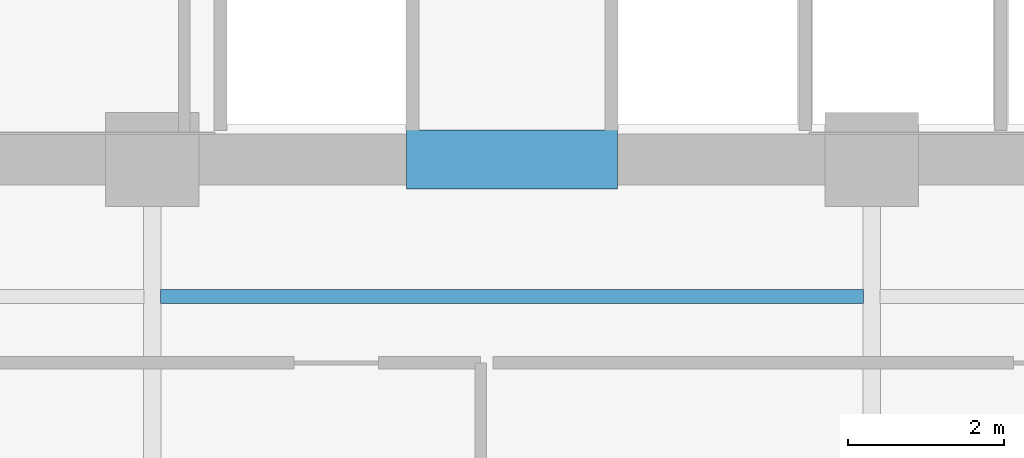
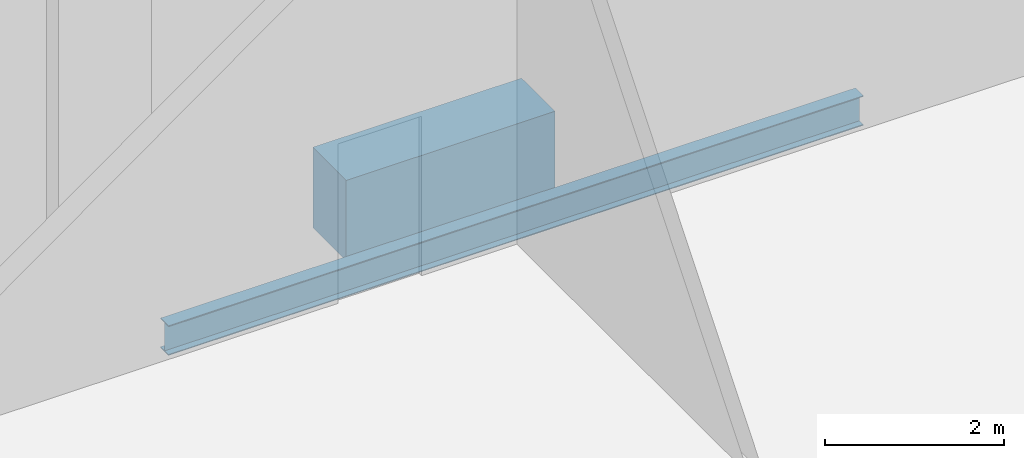
# One storey, part 6 of 31: 2 beams.
"""IFC4 building model written with IfcOpenShell, lengths in metres."""

from ifc_helpers import new_model, si_unit, direction, frame, origin, origin_2d, place, context, subcontext, project, spatial, rectangle, i_section, extrude, material, material_profile, profile_set, type_object, element, save


model = new_model("IFC4")

# Units and contexts
model_context = context("Model", 3, precision=1e-05, world=origin(), true_north=direction((0.0, 1.0)))
body_context = subcontext(model_context, "Body", "Model", "MODEL_VIEW")
ifc_project = project(units=[si_unit("LENGTHUNIT", "METRE"), si_unit("AREAUNIT", "SQUARE_METRE"), si_unit("VOLUMEUNIT", "CUBIC_METRE"), si_unit("PLANEANGLEUNIT", "RADIAN"), si_unit("MASSUNIT", "GRAM", prefix="KILO")], contexts=[model_context])

# Site, building, storey
site_placement = place(None, origin())
site = spatial("IfcSite", under=ifc_project, at=site_placement, CompositionType="ELEMENT")
building_placement = place(site_placement, origin())
building = spatial("IfcBuilding", under=site, at=building_placement, Name="Zuhayl Quay Hotel", CompositionType="ELEMENT")
storey_placement = place(building_placement, frame((0.0, 0.0, 172.800048828125)))
storey = spatial("IfcBuildingStorey", under=building, at=storey_placement, Name="L43", CompositionType="ELEMENT", Elevation=172.800048828125)

# Beams
ifc_material_1 = material(Name="Concrete C60/75", Category="concrete")
ifc_material_profile_1 = material_profile(ifc_material_1, rectangle(XDim=0.75, YDim=1.10009765625, at=origin_2d()), Name="RC750X1100")
ifc_profile_set_1 = profile_set([ifc_material_profile_1], Name="Concrete C60/75")
beam_type_1 = type_object("IfcBeamType", Name="BM_CB2_RC750", PredefinedType="T_BEAM", material=ifc_profile_set_1)
beam_1_placement = place(storey_placement, frame((-1.35009765625, 2.14990234375, -0.77001953125), z_axis=(1.0, 0.0, 0.0), x_axis=(0.0, 1.0, 0.0)))
element("IfcBeam", 1, at=beam_1_placement, inside=storey, type_object=beam_type_1, Name="L43 Core Coupling Beam South", PredefinedType="T_BEAM", context=body_context, shape_type="SweptSolid", body=[
    extrude(rectangle(XDim=0.75, YDim=1.10009765625, at=origin_2d()), origin(), (0.0, 0.0, 1.0), 2.7001953125),
])
ifc_material_2 = material(Name="Steel ASTM A992 Grade 50", Category="steel")
ifc_material_profile_2 = material_profile(ifc_material_2, i_section(OverallWidth=0.177978515625, OverallDepth=0.406005859375, WebThickness=0.0078125, FlangeThickness=0.0126953125, at=origin_2d()), Name="W16X40")
ifc_profile_set_2 = profile_set([ifc_material_profile_2], Name="Steel ASTM A992 Grade 50")
beam_type_2 = type_object("IfcBeamType", Name="BM_J2B_W16X40", PredefinedType="JOIST", material=ifc_profile_set_2)
beam_2_placement = place(storey_placement, frame((-4.493896484375, 0.39990234375, -0.423095703125), z_axis=(1.0, 0.0, 0.0), x_axis=(0.0, 1.0, 0.0)))
element("IfcBeam", 2, at=beam_2_placement, inside=storey, type_object=beam_type_2, Name="L43 Floor Beam FJ_L43_8_2", PredefinedType="JOIST", context=body_context, shape_type="SweptSolid", body=[
    extrude(i_section(OverallWidth=0.177978515625, OverallDepth=0.406005859375, WebThickness=0.0078125, FlangeThickness=0.0126953125, at=origin_2d()), origin(), (0.0, 0.0, 1.0), 8.98779296875),
])

save(model, "model.ifc")
